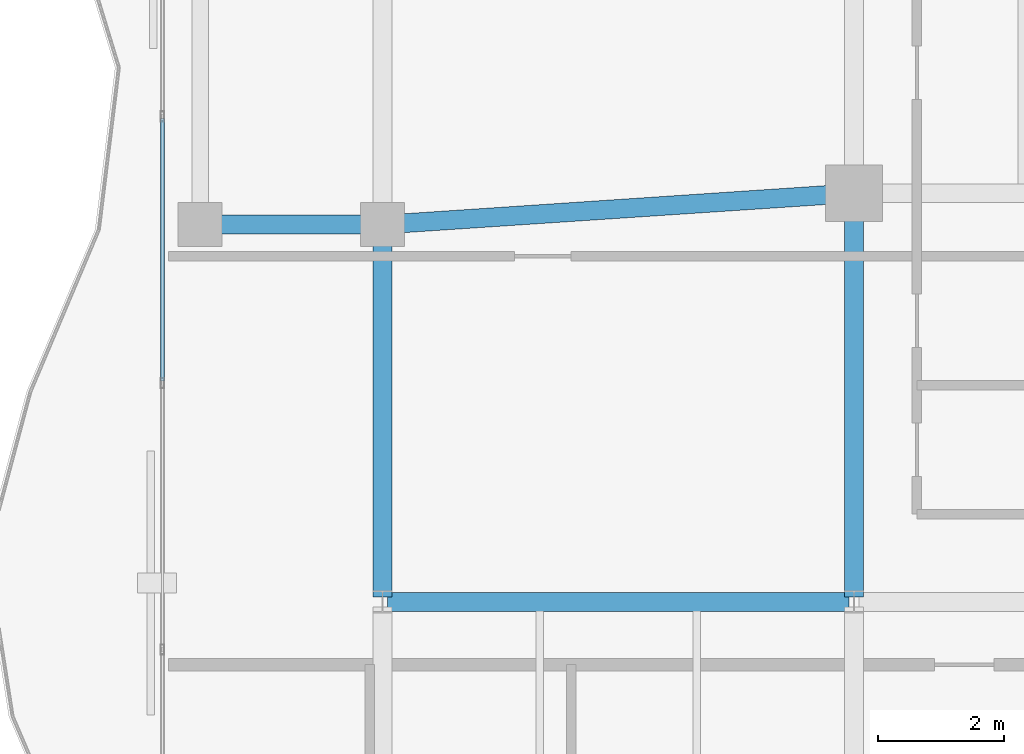
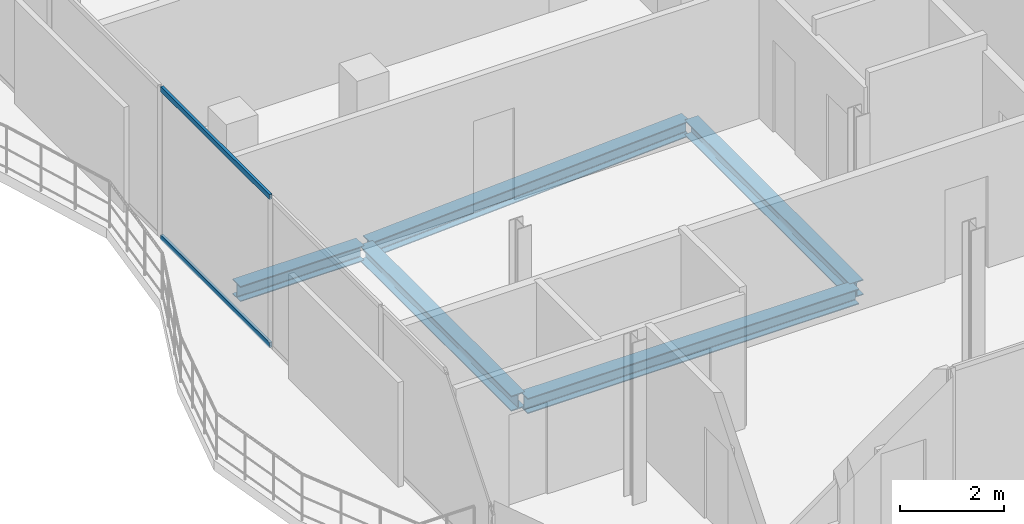
# One storey, part 6 of 22: 5 beams, 2 members, 1 element without a shape of its own.
"""IFC4 building model written with IfcOpenShell, lengths in metres."""

from ifc_helpers import new_model, si_unit, direction, frame, origin, origin_2d, place, context, subcontext, project, spatial, hollow_rectangle, i_section, extrude, material, layer, layer_set, material_profile, profile_set, type_object, element, aggregate, save


model = new_model("IFC4")

# Units and contexts
model_context = context("Model", 3, precision=1e-05, world=origin(), true_north=direction((0.0, 1.0)))
body_context = subcontext(model_context, "Body", "Model", "MODEL_VIEW")
ifc_project = project(units=[si_unit("LENGTHUNIT", "METRE"), si_unit("AREAUNIT", "SQUARE_METRE"), si_unit("VOLUMEUNIT", "CUBIC_METRE"), si_unit("PLANEANGLEUNIT", "RADIAN"), si_unit("MASSUNIT", "GRAM", prefix="KILO")], contexts=[model_context])

# Site, building, storey
site_placement = place(None, origin())
site = spatial("IfcSite", under=ifc_project, at=site_placement, CompositionType="ELEMENT")
building_placement = place(site_placement, origin())
building = spatial("IfcBuilding", under=site, at=building_placement, Name="Catumbela Crestline Tower", CompositionType="ELEMENT")
storey_placement = place(building_placement, frame((0.0, 0.0, 256.4)))
storey = spatial("IfcBuildingStorey", under=building, at=storey_placement, Name="L66", CompositionType="ELEMENT", Elevation=256.4)

# Beams
ifc_material_1 = material(Name="Structural steel S355J2", Category="steel")
ifc_material_profile_1 = material_profile(ifc_material_1, i_section(OverallWidth=0.3, OverallDepth=0.36, WebThickness=0.0125, FlangeThickness=0.0225, FilletRadius=0.027, at=origin_2d()), Name="HEB 360")
ifc_profile_set_1 = profile_set([ifc_material_profile_1], Name="Structural steel S355J2")
beam_type = type_object("IfcBeamType", Name="BG-HEB360", PredefinedType="BEAM", material=ifc_profile_set_1)
beam_1_placement = place(storey_placement, frame((5.68, 24.0, -0.44), z_axis=(1.0, 0.0, 0.0), x_axis=(0.0, 1.0, 0.0)))
element("IfcBeam", 1, at=beam_1_placement, inside=storey, type_object=beam_type, Name="L66 Beam BM-L66-S01", PredefinedType="BEAM", context=body_context, shape_type="SweptSolid", body=[
    extrude(i_section(OverallWidth=0.3, OverallDepth=0.36, WebThickness=0.0125, FlangeThickness=0.0225, FilletRadius=0.027, at=origin_2d()), origin(), (0.0, 0.0, 1.0), 2.74),
])
beam_2_placement = place(storey_placement, frame((8.5798, 24.0053, -0.44), z_axis=(0.997784796964, 0.066524423687, 0.0), x_axis=(-0.066524423687, 0.997784796964, 0.0)))
element("IfcBeam", 2, at=beam_2_placement, inside=storey, type_object=beam_type, Name="L66 Beam BM-L66-S02", PredefinedType="BEAM", context=body_context, shape_type="SweptSolid", body=[
    extrude(i_section(OverallWidth=0.3, OverallDepth=0.36, WebThickness=0.0125, FlangeThickness=0.0225, FilletRadius=0.027, at=origin_2d()), origin(), (0.0, 0.0, 1.0), 7.3567),
])
beam_3_placement = place(storey_placement, frame((8.58, 18.0, -0.44), z_axis=(1.0, 0.0, 0.0), x_axis=(0.0, 1.0, 0.0)))
element("IfcBeam", 3, at=beam_3_placement, inside=storey, type_object=beam_type, Name="L66 Beam BM-L66-WEW28", PredefinedType="BEAM", context=body_context, shape_type="SweptSolid", body=[
    extrude(i_section(OverallWidth=0.3, OverallDepth=0.36, WebThickness=0.0125, FlangeThickness=0.0225, FilletRadius=0.027, at=origin_2d()), origin(), (0.0, 0.0, 1.0), 7.34),
])
beam_4_placement = place(storey_placement, frame((8.5, 18.08, -0.44), z_axis=(0.0, 1.0, 0.0), x_axis=(-1.0, 0.0, 0.0)))
element("IfcBeam", 4, at=beam_4_placement, inside=storey, type_object=beam_type, Name="L66 Beam BM-L66-WNS31", PredefinedType="BEAM", context=body_context, shape_type="SweptSolid", body=[
    extrude(i_section(OverallWidth=0.3, OverallDepth=0.36, WebThickness=0.0125, FlangeThickness=0.0225, FilletRadius=0.027, at=origin_2d()), origin(), (0.0, 0.0, 1.0), 5.84),
])
beam_5_placement = place(storey_placement, frame((16.0, 18.08, -0.44), z_axis=(0.0, 1.0, 0.0), x_axis=(-1.0, 0.0, 0.0)))
element("IfcBeam", 5, at=beam_5_placement, inside=storey, type_object=beam_type, Name="L66 Beam BM-L66-WNS33", PredefinedType="BEAM", context=body_context, shape_type="SweptSolid", body=[
    extrude(i_section(OverallWidth=0.3, OverallDepth=0.36, WebThickness=0.0125, FlangeThickness=0.0225, FilletRadius=0.027, at=origin_2d()), origin(), (0.0, 0.0, 1.0), 6.34),
])

# Curtain wall, members
ifc_material_2 = material(Name="Aluminium alloy AW-6060-T66", Category="aluminium")
ifc_layer = layer(ifc_material_2, 0.18, Name="Aluminium alloy AW-6060-T66")
ifc_layer_set = layer_set([ifc_layer], Name="Aluminium alloy AW-6060-T66")
curtain_wall_type = type_object("IfcCurtainWallType", Name="CWU-Z4", PredefinedType="USERDEFINED", material=ifc_layer_set)
curtain_wall_placement = place(storey_placement, origin())
curtain_wall = element("IfcCurtainWall", 6, at=curtain_wall_placement, inside=storey, type_object=curtain_wall_type, Name="L66 Unitised Curtain Wall CW-L66-E9S2", ObjectType="UNITISED", PredefinedType="USERDEFINED")
ifc_material_profile_2 = material_profile(ifc_material_2, hollow_rectangle(XDim=0.06, YDim=0.12, WallThickness=0.0035, at=origin_2d()), Name="ALU 120x60x3.5")
ifc_profile_set_2 = profile_set([ifc_material_profile_2], Name="Aluminium alloy AW-6060-T66")
member_type = type_object("IfcMemberType", Name="TRN-120X60", PredefinedType="USERDEFINED", material=ifc_profile_set_2)
member_1_placement = place(storey_placement, frame((5.0, 25.6875, 0.03), z_axis=(0.0, -1.0, 0.0), x_axis=(1.0, 0.0, 0.0)))
member_1 = element("IfcMember", 7, at=member_1_placement, type_object=member_type, Name="CWU-Z4 transom 3.1", ObjectType="TRANSOM", PredefinedType="USERDEFINED", context=body_context, shape_type="SweptSolid", body=[
    extrude(hollow_rectangle(XDim=0.06, YDim=0.12, WallThickness=0.0035, at=origin_2d()), origin(), (0.0, 0.0, 1.0), 4.175),
])
member_2_placement = place(storey_placement, frame((5.0, 25.6875, 3.5), z_axis=(0.0, -1.0, 0.0), x_axis=(1.0, 0.0, 0.0)))
member_2 = element("IfcMember", 8, at=member_2_placement, type_object=member_type, Name="CWU-Z4 transom 3.2", ObjectType="TRANSOM", PredefinedType="USERDEFINED", context=body_context, shape_type="SweptSolid", body=[
    extrude(hollow_rectangle(XDim=0.06, YDim=0.12, WallThickness=0.0035, at=origin_2d()), origin(), (0.0, 0.0, 1.0), 4.175),
])
aggregate(curtain_wall, [member_1, member_2])

save(model, "model.ifc")
